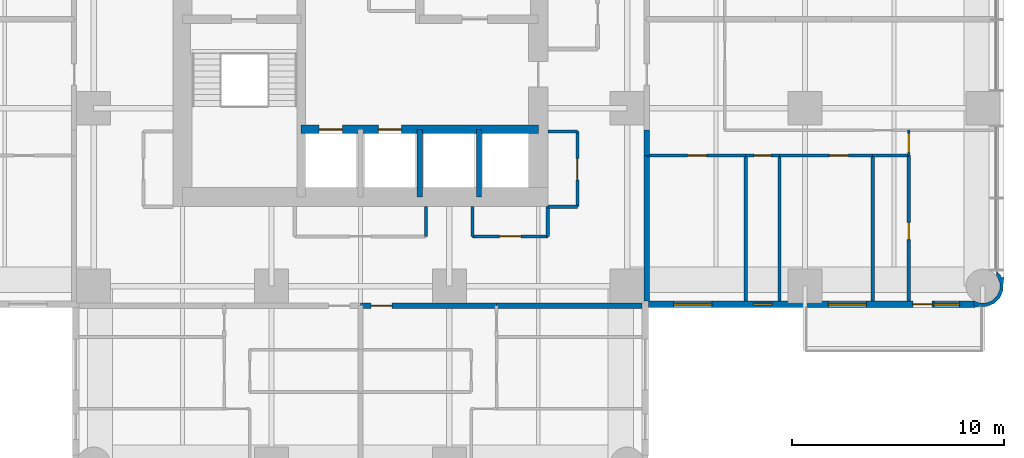
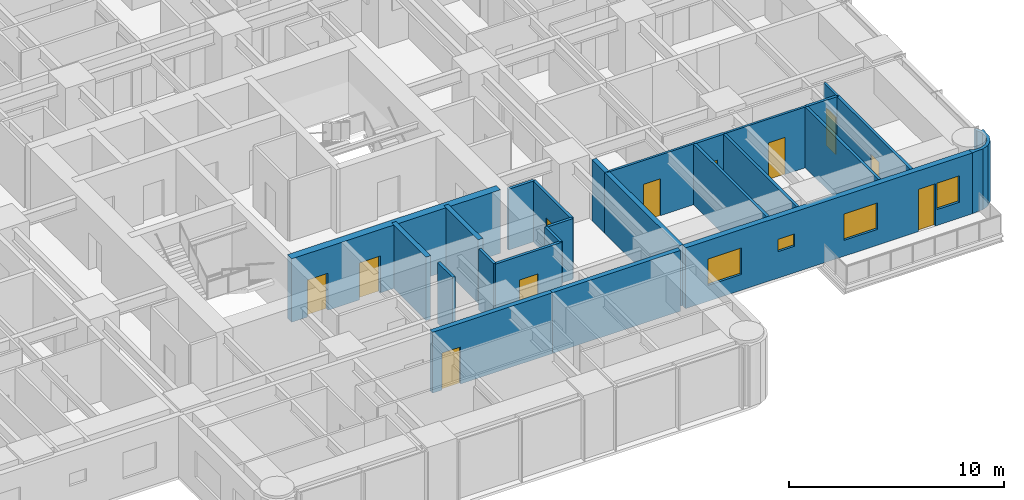
# One storey, part 9 of 15: 25 walls, 11 doors, 4 windows, 15 openings.
"""IFC4 building model written with IfcOpenShell, lengths in metres."""

from ifc_helpers import new_model, si_unit, direction, frame, frame_2d, origin, place, context, subcontext, project, spatial, polyline, rectangle, outline, extrude, material, layer, layer_set, type_object, element, fill, save


model = new_model("IFC4")

# Units and contexts
model_context = context("Model", 3, precision=1e-05, world=origin(), true_north=direction((0.0, 1.0)))
body_context = subcontext(model_context, "Body", "Model", "MODEL_VIEW")
ifc_project = project(units=[si_unit("LENGTHUNIT", "METRE"), si_unit("AREAUNIT", "SQUARE_METRE"), si_unit("VOLUMEUNIT", "CUBIC_METRE"), si_unit("PLANEANGLEUNIT", "RADIAN"), si_unit("MASSUNIT", "GRAM", prefix="KILO")], contexts=[model_context])

# Site, building, storey
site_placement = place(None, origin())
site = spatial("IfcSite", under=ifc_project, at=site_placement, CompositionType="ELEMENT")
building_placement = place(site_placement, origin())
building = spatial("IfcBuilding", under=site, at=building_placement, Name="Torre Alcanfor", CompositionType="ELEMENT")
storey_placement = place(building_placement, frame((0.0, 0.0, 144.89990234375)))
storey = spatial("IfcBuildingStorey", under=building, at=storey_placement, Name="L37", CompositionType="ELEMENT", Elevation=144.89990234375)

# Walls
ifc_material_1 = material(Name="Concrete block masonry, hollow blocks NMX-C-404 9 MPa", Category="masonry")
ifc_layer_1 = layer(ifc_material_1, 0.25)
ifc_layer_set_1 = layer_set([ifc_layer_1], Name="Apartment entrance wall 250 EI 60")
wall_type_1 = type_object("IfcWallType", Name="Apartment entrance wall 250 EI 60", PredefinedType="PARTITIONING", material=ifc_layer_set_1)
wall_1_placement = place(storey_placement, frame((42.925048828125, 24.1708984375, 0.0), z_axis=(0.0, 0.0, 1.0), x_axis=(0.0, -1.0, 0.0)))
element("IfcWall", 1, at=wall_1_placement, inside=storey, type_object=wall_type_1, Name="Partition L37-CORR / L37-E2-HALL", PredefinedType="PARTITIONING", context=body_context, shape_type="SweptSolid", body=[
    extrude(rectangle(XDim=1.199951171875, YDim=0.25, at=frame_2d((0.60009765625, 0.0))), origin(), (0.0, 0.0, 1.0), 3.4501953125),
])
wall_2_placement = place(storey_placement, frame((42.925048828125, 22.970947265625, 0.0), z_axis=(0.0, 0.0, 1.0), x_axis=(0.0, -1.0, 0.0)))
element("IfcWall", 2, at=wall_2_placement, inside=storey, type_object=wall_type_1, Name="Partition L37-CORR / L37-E2-BED3", PredefinedType="PARTITIONING", context=body_context, shape_type="SweptSolid", body=[
    extrude(rectangle(XDim=6.870849609375, YDim=0.25, at=frame_2d((3.435546875, 0.0))), origin(), (0.0, 0.0, 1.0), 3.4501953125),
])

# Wall, opening, door
wall_3_placement = place(storey_placement, frame((35.8291015625, 15.875, 0.0), z_axis=(0.0, 0.0, 1.0), x_axis=(-1.0, 0.0, 0.0)))
wall_3 = element("IfcWall", 3, at=wall_3_placement, inside=storey, type_object=wall_type_1, Name="Partition L37-CORR / L37-S1-LIVING", PredefinedType="PARTITIONING", context=body_context, shape_type="SweptSolid", body=[
    extrude(rectangle(XDim=6.42919921875, YDim=0.25, at=frame_2d((3.214599609375, 0.0))), origin(), (0.0, 0.0, 1.0), 3.4501953125),
])
opening_1_placement = place(wall_3_placement, frame((4.928955078125, 0.0, 0.0)))
opening_1 = element("IfcOpeningElement", 4, at=opening_1_placement, cuts=wall_3, Name="Opening D-A1", PredefinedType="OPENING", context=body_context, shape_type="SweptSolid", body=[
    extrude(rectangle(XDim=1.0, YDim=2.10009765625, at=frame_2d((0.5, 1.050048828125))), frame((0.0, 0.135009765625, 0.0), z_axis=(0.0, -1.0, 0.0), x_axis=(1.0, 0.0, 0.0)), (0.0, 0.0, 1.0), 0.27001953125),
])
ifc_material_2 = material(Name="Galvanised steel sheet ASTM A653", Category="steel")
door_type_1 = type_object("IfcDoorType", Name="Apartment entrance door FD60 1000x2100", OperationType="SINGLE_SWING_LEFT", PredefinedType="DOOR", material=ifc_material_2)
door_1_placement = place(opening_1_placement, origin())
door_1 = element("IfcDoor", 5, at=door_1_placement, inside=storey, type_object=door_type_1, Name="Apartment entrance L37-S1", OperationType="SINGLE_SWING_RIGHT", OverallHeight=2.10009765625, OverallWidth=1.0, PredefinedType="DOOR", context=body_context, shape_type="SweptSolid", body=[
    extrude(rectangle(XDim=1.0, YDim=2.10009765625, at=frame_2d((0.5, 1.050048828125))), frame((0.0, 0.02490234375, 0.0), z_axis=(0.0, -1.0, 0.0), x_axis=(1.0, 0.0, 0.0)), (0.0, 0.0, 1.0), 0.050048828125),
])
fill(opening_1, door_1)

# Wall
wall_4_placement = place(storey_placement, frame((42.699951171875, 15.875, 0.0), z_axis=(0.0, 0.0, 1.0), x_axis=(-1.0, 0.0, 0.0)))
element("IfcWall", 6, at=wall_4_placement, inside=storey, type_object=wall_type_1, Name="Partition L37-CORR / L37-S1-BATH", PredefinedType="PARTITIONING", context=body_context, shape_type="SweptSolid", body=[
    extrude(rectangle(XDim=6.870849609375, YDim=0.25, at=frame_2d((3.435546875, 0.0))), origin(), (0.0, 0.0, 1.0), 3.4501953125),
])

# Wall, opening, door
ifc_material_3 = material(Name="Gypsum board on steel studs", Category="steel")
ifc_layer_2 = layer(ifc_material_3, 0.1201171875)
ifc_layer_set_2 = layer_set([ifc_layer_2], Name="Apartment partition 120")
wall_type_2 = type_object("IfcWallType", Name="Apartment partition 120", PredefinedType="PARTITIONING", material=ifc_layer_set_2)
wall_5_placement = place(storey_placement, frame((47.60009765625, 22.970947265625, 0.0), z_axis=(0.0, 0.0, 1.0), x_axis=(-1.0, 0.0, 0.0)))
wall_5 = element("IfcWall", 7, at=wall_5_placement, inside=storey, type_object=wall_type_2, Name="Partition L37-E2-HALL / L37-E2-BED3", PredefinedType="PARTITIONING", context=body_context, shape_type="SweptSolid", body=[
    extrude(rectangle(XDim=4.675048828125, YDim=0.1201171875, at=frame_2d((2.33740234375, 0.0))), origin(), (0.0, 0.0, 1.0), 3.4501953125),
])
opening_2_placement = place(wall_5_placement, frame((1.85009765625, 0.0, 0.0)))
opening_2 = element("IfcOpeningElement", 8, at=opening_2_placement, cuts=wall_5, Name="Opening D-R1", PredefinedType="OPENING", context=body_context, shape_type="SweptSolid", body=[
    extrude(rectangle(XDim=0.89990234375, YDim=2.10009765625, at=frame_2d((0.449951171875, 1.050048828125))), frame((0.0, 0.070068359375, 0.0), z_axis=(0.0, -1.0, 0.0), x_axis=(1.0, 0.0, 0.0)), (0.0, 0.0, 1.0), 0.14013671875),
])
ifc_material_4 = material(Name="Timber", Category="wood")
door_type_2 = type_object("IfcDoorType", Name="Internal door 900x2100", OperationType="SINGLE_SWING_LEFT", PredefinedType="DOOR", material=ifc_material_4)
door_2_placement = place(opening_2_placement, origin())
door_2 = element("IfcDoor", 9, at=door_2_placement, inside=storey, type_object=door_type_2, Name="Door L37-E2 bed3", OperationType="SINGLE_SWING_LEFT", OverallHeight=2.10009765625, OverallWidth=0.89990234375, PredefinedType="DOOR", context=body_context, shape_type="SweptSolid", body=[
    extrude(rectangle(XDim=0.89990234375, YDim=2.10009765625, at=frame_2d((0.449951171875, 1.050048828125))), frame((0.0, 0.02490234375, 0.0), z_axis=(0.0, -1.0, 0.0), x_axis=(1.0, 0.0, 0.0)), (0.0, 0.0, 1.0), 0.050048828125),
])
fill(opening_2, door_2)

wall_6_placement = place(storey_placement, frame((53.60009765625, 22.970947265625, 0.0), z_axis=(0.0, 0.0, 1.0), x_axis=(-1.0, 0.0, 0.0)))
wall_6 = element("IfcWall", 10, at=wall_6_placement, inside=storey, type_object=wall_type_2, Name="Partition L37-E2-HALL / L37-E2-BED2", PredefinedType="PARTITIONING", context=body_context, shape_type="SweptSolid", body=[
    extrude(rectangle(XDim=4.400146484375, YDim=0.1201171875, at=frame_2d((2.2001953125, 0.0))), origin(), (0.0, 0.0, 1.0), 3.4501953125),
])
opening_3_placement = place(wall_6_placement, frame((1.14990234375, 0.0, 0.0)))
opening_3 = element("IfcOpeningElement", 11, at=opening_3_placement, cuts=wall_6, Name="Opening D-R1", PredefinedType="OPENING", context=body_context, shape_type="SweptSolid", body=[
    extrude(rectangle(XDim=0.89990234375, YDim=2.10009765625, at=frame_2d((0.449951171875, 1.050048828125))), frame((0.0, 0.070068359375, 0.0), z_axis=(0.0, -1.0, 0.0), x_axis=(1.0, 0.0, 0.0)), (0.0, 0.0, 1.0), 0.14013671875),
])
door_3_placement = place(opening_3_placement, origin())
door_3 = element("IfcDoor", 12, at=door_3_placement, inside=storey, type_object=door_type_2, Name="Door L37-E2 bed2", OperationType="SINGLE_SWING_LEFT", OverallHeight=2.10009765625, OverallWidth=0.89990234375, PredefinedType="DOOR", context=body_context, shape_type="SweptSolid", body=[
    extrude(rectangle(XDim=0.89990234375, YDim=2.10009765625, at=frame_2d((0.449951171875, 1.050048828125))), frame((0.0, 0.02490234375, 0.0), z_axis=(0.0, -1.0, 0.0), x_axis=(1.0, 0.0, 0.0)), (0.0, 0.0, 1.0), 0.050048828125),
])
fill(opening_3, door_3)

wall_7_placement = place(storey_placement, frame((55.300048828125, 24.1708984375, 0.0), z_axis=(0.0, 0.0, 1.0), x_axis=(0.0, -1.0, 0.0)))
wall_7 = element("IfcWall", 13, at=wall_7_placement, inside=storey, type_object=wall_type_2, Name="Partition L37-E2-HALL / L37-E2-MASTER", PredefinedType="PARTITIONING", context=body_context, shape_type="SweptSolid", body=[
    extrude(rectangle(XDim=1.199951171875, YDim=0.1201171875, at=frame_2d((0.60009765625, 0.0))), origin(), (0.0, 0.0, 1.0), 3.4501953125),
])
opening_4_placement = place(wall_7_placement, frame((0.15087890625, 0.0, 0.0)))
opening_4 = element("IfcOpeningElement", 14, at=opening_4_placement, cuts=wall_7, Name="Opening D-R1", PredefinedType="OPENING", context=body_context, shape_type="SweptSolid", body=[
    extrude(rectangle(XDim=0.89990234375, YDim=2.10009765625, at=frame_2d((0.449951171875, 1.050048828125))), frame((0.0, 0.070068359375, 0.0), z_axis=(0.0, -1.0, 0.0), x_axis=(1.0, 0.0, 0.0)), (0.0, 0.0, 1.0), 0.14013671875),
])
door_4_placement = place(opening_4_placement, origin())
door_4 = element("IfcDoor", 15, at=door_4_placement, inside=storey, type_object=door_type_2, Name="Door L37-E2 master", OperationType="SINGLE_SWING_LEFT", OverallHeight=2.10009765625, OverallWidth=0.89990234375, PredefinedType="DOOR", context=body_context, shape_type="SweptSolid", body=[
    extrude(rectangle(XDim=0.89990234375, YDim=2.10009765625, at=frame_2d((0.449951171875, 1.050048828125))), frame((0.0, 0.02490234375, 0.0), z_axis=(0.0, -1.0, 0.0), x_axis=(1.0, 0.0, 0.0)), (0.0, 0.0, 1.0), 0.050048828125),
])
fill(opening_4, door_4)

# Wall, openings, doors
ifc_material_5 = material(Name="Concrete f'c 70 MPa", Category="concrete")
ifc_layer_3 = layer(ifc_material_5, 0.39990234375)
ifc_layer_set_3 = layer_set([ifc_layer_3], Name="Core inner wall 400 f'c70")
wall_type_3 = type_object("IfcWallType", Name="Core inner wall 400 f'c70", PredefinedType="SHEAR", material=ifc_layer_set_3)
wall_8_placement = place(storey_placement, frame((26.60009765625, 24.199951171875, 0.0), z_axis=(0.0, 0.0, 1.0), x_axis=(1.0, 0.0, 0.0)))
wall_8 = element("IfcWall", 16, at=wall_8_placement, inside=storey, type_object=wall_type_3, Name="Core wall Y242 L37", PredefinedType="SHEAR", context=body_context, shape_type="SweptSolid", body=[
    extrude(rectangle(XDim=11.199951171875, YDim=0.39990234375, at=frame_2d((5.60009765625, 0.0))), origin(), (0.0, 0.0, 1.0), 3.60009765625),
])
opening_5_placement = place(wall_8_placement, frame((0.85009765625, 0.0, 0.0)))
opening_5 = element("IfcOpeningElement", 17, at=opening_5_placement, cuts=wall_8, Name="Opening LD1", PredefinedType="OPENING", context=body_context, shape_type="SweptSolid", body=[
    extrude(rectangle(XDim=1.10009765625, YDim=2.10009765625, at=frame_2d((0.550048828125, 1.050048828125))), frame((0.0, 0.2099609375, 0.0), z_axis=(0.0, -1.0, 0.0), x_axis=(1.0, 0.0, 0.0)), (0.0, 0.0, 1.0), 0.419921875),
])
opening_6_placement = place(wall_8_placement, frame((3.64990234375, 0.0, 0.0)))
opening_6 = element("IfcOpeningElement", 18, at=opening_6_placement, cuts=wall_8, Name="Opening LD1", PredefinedType="OPENING", context=body_context, shape_type="SweptSolid", body=[
    extrude(rectangle(XDim=1.10009765625, YDim=2.10009765625, at=frame_2d((0.550048828125, 1.050048828125))), frame((0.0, 0.2099609375, 0.0), z_axis=(0.0, -1.0, 0.0), x_axis=(1.0, 0.0, 0.0)), (0.0, 0.0, 1.0), 0.419921875),
])
ifc_material_6 = material(Name="Galvanised steel sheet ASTM A653", Category="steel")
door_type_3 = type_object("IfcDoorType", Name="Lift landing door 1100x2100", OperationType="DOUBLE_DOOR_SLIDING", PredefinedType="DOOR", material=ifc_material_6)
door_5_placement = place(opening_5_placement, origin())
door_5 = element("IfcDoor", 19, at=door_5_placement, inside=storey, type_object=door_type_3, Name="Lift landing door PA1 L37", OperationType="DOUBLE_DOOR_SLIDING", OverallHeight=2.10009765625, OverallWidth=1.10009765625, PredefinedType="DOOR", context=body_context, shape_type="SweptSolid", body=[
    extrude(rectangle(XDim=1.10009765625, YDim=2.10009765625, at=frame_2d((0.550048828125, 1.050048828125))), frame((0.0, 0.02490234375, 0.0), z_axis=(0.0, -1.0, 0.0), x_axis=(1.0, 0.0, 0.0)), (0.0, 0.0, 1.0), 0.050048828125),
])
fill(opening_5, door_5)
door_6_placement = place(opening_6_placement, origin())
door_6 = element("IfcDoor", 20, at=door_6_placement, inside=storey, type_object=door_type_3, Name="Lift landing door PA2 L37", OperationType="DOUBLE_DOOR_SLIDING", OverallHeight=2.10009765625, OverallWidth=1.10009765625, PredefinedType="DOOR", context=body_context, shape_type="SweptSolid", body=[
    extrude(rectangle(XDim=1.10009765625, YDim=2.10009765625, at=frame_2d((0.550048828125, 1.050048828125))), frame((0.0, 0.02490234375, 0.0), z_axis=(0.0, -1.0, 0.0), x_axis=(1.0, 0.0, 0.0)), (0.0, 0.0, 1.0), 0.050048828125),
])
fill(opening_6, door_6)

# Walls
ifc_material_7 = material(Name="Concrete f'c 70 MPa", Category="concrete")
ifc_layer_4 = layer(ifc_material_7, 0.25)
ifc_layer_set_4 = layer_set([ifc_layer_4], Name="Core shaft wall 250 f'c70")
wall_type_4 = type_object("IfcWallType", Name="Core shaft wall 250 f'c70", PredefinedType="SHEAR", material=ifc_layer_set_4)
for number, where, z_axis, x_axis, name in (
    (21, (32.199951171875, 21.0, 0.0), (0.0, 0.0, 1.0), (0.0, 1.0, 0.0), "Core wall X322S L37"),
    (22, (35.0, 21.0, 0.0), (0.0, 0.0, 1.0), (0.0, 1.0, 0.0), "Core wall X350S L37"),
):
    element("IfcWall", number, at=place(storey_placement, frame(where, z_axis=z_axis, x_axis=x_axis)), inside=storey, type_object=wall_type_4, Name=name, PredefinedType="SHEAR", context=body_context, shape_type="SweptSolid", body=[
        extrude(rectangle(XDim=3.199951171875, YDim=0.25, at=frame_2d((1.60009765625, 0.0))), origin(), (0.0, 0.0, 1.0), 3.60009765625),
    ])

# Wall, openings, door, windows
ifc_material_8 = material(Name="Limestone cladding", Category="masonry")
ifc_layer_5 = layer(ifc_material_8, 0.0400390625, Name="Facing")
ifc_material_9 = material(Name="Ventilated air cavity")
ifc_layer_6 = layer(ifc_material_9, 0.02001953125, ventilated=True, Name="Ventilated joint")
ifc_material_10 = material(Name="Mineral wool insulation", Category="insulation")
ifc_layer_7 = layer(ifc_material_10, 0.10009765625, Name="Insulation")
ifc_material_11 = material(Name="Concrete f'c 35 MPa", Category="concrete")
ifc_layer_8 = layer(ifc_material_11, 0.139892578125, Name="Backing")
ifc_layer_set_5 = layer_set([ifc_layer_5, ifc_layer_6, ifc_layer_7, ifc_layer_8], Name="External wall stone-clad 300")
wall_type_5 = type_object("IfcWallType", Name="External wall stone-clad 300", PredefinedType="SOLIDWALL", material=ifc_layer_set_5)
wall_9_placement = place(storey_placement, frame((43.0, 15.949951171875, 0.0), z_axis=(0.0, 0.0, 1.0), x_axis=(1.0, 0.0, 0.0)))
wall_9 = element("IfcWall", 23, at=wall_9_placement, inside=storey, type_object=wall_type_5, Name="External wall L37 7", PredefinedType="SOLIDWALL", context=body_context, shape_type="SweptSolid", body=[
    extrude(rectangle(XDim=15.39990234375, YDim=0.300048828125, at=frame_2d((7.699951171875, 0.0))), origin(), (0.0, 0.0, 1.0), 3.4501953125),
])
opening_7_placement = place(wall_9_placement, frame((1.199951171875, 0.0, 0.89990234375)))
opening_7 = element("IfcOpeningElement", 24, at=opening_7_placement, cuts=wall_9, Name="Opening W2", PredefinedType="OPENING", context=body_context, shape_type="SweptSolid", body=[
    extrude(rectangle(XDim=1.800048828125, YDim=1.5, at=frame_2d((0.89990234375, 0.75))), frame((0.0, 0.159912109375, 0.0), z_axis=(0.0, -1.0, 0.0), x_axis=(1.0, 0.0, 0.0)), (0.0, 0.0, 1.0), 0.320068359375),
])
opening_8_placement = place(wall_9_placement, frame((4.949951171875, 0.0, 1.5)))
opening_8 = element("IfcOpeningElement", 25, at=opening_8_placement, cuts=wall_9, Name="Opening W3", PredefinedType="OPENING", context=body_context, shape_type="SweptSolid", body=[
    extrude(rectangle(XDim=0.89990234375, YDim=0.699951171875, at=frame_2d((0.449951171875, 0.35009765625))), frame((0.0, 0.159912109375, 0.0), z_axis=(0.0, -1.0, 0.0), x_axis=(1.0, 0.0, 0.0)), (0.0, 0.0, 1.0), 0.320068359375),
])
opening_9_placement = place(wall_9_placement, frame((8.5, 0.0, 0.89990234375)))
opening_9 = element("IfcOpeningElement", 26, at=opening_9_placement, cuts=wall_9, Name="Opening W2", PredefinedType="OPENING", context=body_context, shape_type="SweptSolid", body=[
    extrude(rectangle(XDim=1.800048828125, YDim=1.5, at=frame_2d((0.89990234375, 0.75))), frame((0.0, 0.159912109375, 0.0), z_axis=(0.0, -1.0, 0.0), x_axis=(1.0, 0.0, 0.0)), (0.0, 0.0, 1.0), 0.320068359375),
])
opening_10_placement = place(wall_9_placement, frame((12.5, 0.0, 0.0)))
opening_10 = element("IfcOpeningElement", 27, at=opening_10_placement, cuts=wall_9, Name="Opening D-B1", PredefinedType="OPENING", context=body_context, shape_type="SweptSolid", body=[
    extrude(rectangle(XDim=0.89990234375, YDim=2.39990234375, at=frame_2d((0.449951171875, 1.199951171875))), frame((0.0, 0.159912109375, 0.0), z_axis=(0.0, -1.0, 0.0), x_axis=(1.0, 0.0, 0.0)), (0.0, 0.0, 1.0), 0.320068359375),
])
opening_11_placement = place(wall_9_placement, frame((13.5, 0.0, 0.89990234375)))
opening_11 = element("IfcOpeningElement", 28, at=opening_11_placement, cuts=wall_9, Name="Opening W4", PredefinedType="OPENING", context=body_context, shape_type="SweptSolid", body=[
    extrude(rectangle(XDim=1.199951171875, YDim=1.5, at=frame_2d((0.60009765625, 0.75))), frame((0.0, 0.159912109375, 0.0), z_axis=(0.0, -1.0, 0.0), x_axis=(1.0, 0.0, 0.0)), (0.0, 0.0, 1.0), 0.320068359375),
])
ifc_material_12 = material(Name="Aluminium and glass", Category="aluminium")
door_type_4 = type_object("IfcDoorType", Name="Balcony door glazed 900x2400", OperationType="SINGLE_SWING_LEFT", PredefinedType="DOOR", material=ifc_material_12)
door_7_placement = place(opening_10_placement, origin())
door_7 = element("IfcDoor", 29, at=door_7_placement, inside=storey, type_object=door_type_4, Name="Balcony door L37-E2", OperationType="SINGLE_SWING_LEFT", OverallHeight=2.39990234375, OverallWidth=0.89990234375, PredefinedType="DOOR", context=body_context, shape_type="SweptSolid", body=[
    extrude(rectangle(XDim=0.89990234375, YDim=2.39990234375, at=frame_2d((0.449951171875, 1.199951171875))), frame((0.0, 0.02490234375, 0.0), z_axis=(0.0, -1.0, 0.0), x_axis=(1.0, 0.0, 0.0)), (0.0, 0.0, 1.0), 0.050048828125),
])
fill(opening_10, door_7)
ifc_material_13 = material(Name="Aluminium frame with clear double glazing", Category="aluminium")
window_type_1 = type_object("IfcWindowType", Name="Window bathroom 900x700", PartitioningType="SINGLE_PANEL", PredefinedType="WINDOW", material=ifc_material_13)
window_1_placement = place(opening_8_placement, origin())
window_1 = element("IfcWindow", 30, at=window_1_placement, inside=storey, type_object=window_type_1, Name="Window W3 L37-E2", OverallHeight=0.699951171875, OverallWidth=0.89990234375, PartitioningType="SINGLE_PANEL", PredefinedType="WINDOW", context=body_context, shape_type="SweptSolid", body=[
    extrude(rectangle(XDim=0.89990234375, YDim=0.699951171875, at=frame_2d((0.449951171875, 0.35009765625))), frame((0.0, 0.030029296875, 0.0), z_axis=(0.0, -1.0, 0.0), x_axis=(1.0, 0.0, 0.0)), (0.0, 0.0, 1.0), 0.06005859375),
])
fill(opening_8, window_1)
ifc_material_14 = material(Name="Aluminium frame with clear double glazing", Category="aluminium")
window_type_2 = type_object("IfcWindowType", Name="Window bedroom 1200x1500", PartitioningType="SINGLE_PANEL", PredefinedType="WINDOW", material=ifc_material_14)
window_2_placement = place(opening_11_placement, origin())
window_2 = element("IfcWindow", 31, at=window_2_placement, inside=storey, type_object=window_type_2, Name="Window W4 L37-E2", OverallHeight=1.5, OverallWidth=1.199951171875, PartitioningType="SINGLE_PANEL", PredefinedType="WINDOW", context=body_context, shape_type="SweptSolid", body=[
    extrude(rectangle(XDim=1.199951171875, YDim=1.5, at=frame_2d((0.60009765625, 0.75))), frame((0.0, 0.030029296875, 0.0), z_axis=(0.0, -1.0, 0.0), x_axis=(1.0, 0.0, 0.0)), (0.0, 0.0, 1.0), 0.06005859375),
])
fill(opening_11, window_2)
ifc_material_15 = material(Name="Aluminium frame with clear double glazing", Category="aluminium")
window_type_3 = type_object("IfcWindowType", Name="Window bedroom 1800x1500", PartitioningType="SINGLE_PANEL", PredefinedType="WINDOW", material=ifc_material_15)
window_3_placement = place(opening_7_placement, origin())
window_3 = element("IfcWindow", 32, at=window_3_placement, inside=storey, type_object=window_type_3, Name="Window W2 L37-E2", OverallHeight=1.5, OverallWidth=1.800048828125, PartitioningType="SINGLE_PANEL", PredefinedType="WINDOW", context=body_context, shape_type="SweptSolid", body=[
    extrude(rectangle(XDim=1.800048828125, YDim=1.5, at=frame_2d((0.89990234375, 0.75))), frame((0.0, 0.030029296875, 0.0), z_axis=(0.0, -1.0, 0.0), x_axis=(1.0, 0.0, 0.0)), (0.0, 0.0, 1.0), 0.06005859375),
])
fill(opening_7, window_3)
window_4_placement = place(opening_9_placement, origin())
window_4 = element("IfcWindow", 33, at=window_4_placement, inside=storey, type_object=window_type_3, Name="Window W2 L37-E2", OverallHeight=1.5, OverallWidth=1.800048828125, PartitioningType="SINGLE_PANEL", PredefinedType="WINDOW", context=body_context, shape_type="SweptSolid", body=[
    extrude(rectangle(XDim=1.800048828125, YDim=1.5, at=frame_2d((0.89990234375, 0.75))), frame((0.0, 0.030029296875, 0.0), z_axis=(0.0, -1.0, 0.0), x_axis=(1.0, 0.0, 0.0)), (0.0, 0.0, 1.0), 0.06005859375),
])
fill(opening_9, window_4)

# Wall
ifc_material_16 = material(Name="Concrete block masonry, hollow blocks NMX-C-404 9 MPa", Category="masonry")
ifc_layer_9 = layer(ifc_material_16, 0.14990234375)
ifc_layer_set_6 = layer_set([ifc_layer_9], Name="Residents' room partition 150")
wall_type_6 = type_object("IfcWallType", Name="Residents' room partition 150", PredefinedType="PARTITIONING", material=ifc_layer_set_6)
wall_10_placement = place(storey_placement, frame((38.25, 20.550048828125, 0.0), z_axis=(0.0, 0.0, 1.0), x_axis=(1.0, 0.0, 0.0)))
element("IfcWall", 34, at=wall_10_placement, inside=storey, type_object=wall_type_6, Name="Partition L37-CORR / L37-G03", PredefinedType="PARTITIONING", context=body_context, shape_type="SweptSolid", body=[
    extrude(rectangle(XDim=1.39990234375, YDim=0.14990234375, at=frame_2d((0.699951171875, 0.0))), origin(), (0.0, 0.0, 1.0), 3.4501953125),
])

# Wall, opening, door
wall_11_placement = place(storey_placement, frame((39.64990234375, 20.550048828125, 0.0), z_axis=(0.0, 0.0, 1.0), x_axis=(0.0, 1.0, 0.0)))
wall_11 = element("IfcWall", 35, at=wall_11_placement, inside=storey, type_object=wall_type_6, Name="Partition L37-CORR / L37-G03", PredefinedType="PARTITIONING", context=body_context, shape_type="SweptSolid", body=[
    extrude(rectangle(XDim=3.550048828125, YDim=0.14990234375, at=frame_2d((1.77490234375, 0.0))), origin(), (0.0, 0.0, 1.0), 3.4501953125),
])
opening_12_placement = place(wall_11_placement, frame((1.27490234375, 0.0, 0.0)))
opening_12 = element("IfcOpeningElement", 36, at=opening_12_placement, cuts=wall_11, Name="Opening D-M1", PredefinedType="OPENING", context=body_context, shape_type="SweptSolid", body=[
    extrude(rectangle(XDim=1.0, YDim=2.10009765625, at=frame_2d((0.5, 1.050048828125))), frame((0.0, 0.0849609375, 0.0), z_axis=(0.0, -1.0, 0.0), x_axis=(1.0, 0.0, 0.0)), (0.0, 0.0, 1.0), 0.169921875),
])
ifc_material_17 = material(Name="Timber", Category="wood")
door_type_5 = type_object("IfcDoorType", Name="Residents' room door 1000x2100", OperationType="SINGLE_SWING_LEFT", PredefinedType="DOOR", material=ifc_material_17)
door_8_placement = place(opening_12_placement, origin())
door_8 = element("IfcDoor", 37, at=door_8_placement, inside=storey, type_object=door_type_5, Name="Door L37-G03 parcel room", OperationType="SINGLE_SWING_LEFT", OverallHeight=2.10009765625, OverallWidth=1.0, PredefinedType="DOOR", context=body_context, shape_type="SweptSolid", body=[
    extrude(rectangle(XDim=1.0, YDim=2.10009765625, at=frame_2d((0.5, 1.050048828125))), frame((0.0, 0.02490234375, 0.0), z_axis=(0.0, -1.0, 0.0), x_axis=(1.0, 0.0, 0.0)), (0.0, 0.0, 1.0), 0.050048828125),
])
fill(opening_12, door_8)

# Walls
wall_12_placement = place(storey_placement, frame((39.64990234375, 24.10009765625, 0.0), z_axis=(0.0, 0.0, 1.0), x_axis=(-1.0, 0.0, 0.0)))
element("IfcWall", 38, at=wall_12_placement, inside=storey, type_object=wall_type_6, Name="Partition L37-CORR / L37-G03", PredefinedType="PARTITIONING", context=body_context, shape_type="SweptSolid", body=[
    extrude(rectangle(XDim=1.39990234375, YDim=0.14990234375, at=frame_2d((0.699951171875, 0.0))), origin(), (0.0, 0.0, 1.0), 3.4501953125),
])
for number, where, z_axis, x_axis, name in (
    (39, (32.5, 19.14990234375, 0.0), (0.0, 0.0, 1.0), (0.0, 1.0, 0.0), "Partition L37-CORR / L37-G05"),
    (40, (34.699951171875, 20.550048828125, 0.0), (0.0, 0.0, 1.0), (0.0, -1.0, 0.0), "Partition L37-CORR / L37-G06"),
):
    element("IfcWall", number, at=place(storey_placement, frame(where, z_axis=z_axis, x_axis=x_axis)), inside=storey, type_object=wall_type_6, Name=name, PredefinedType="PARTITIONING", context=body_context, shape_type="SweptSolid", body=[
        extrude(rectangle(XDim=1.400146484375, YDim=0.14990234375, at=frame_2d((0.7001953125, 0.0))), origin(), (0.0, 0.0, 1.0), 3.4501953125),
    ])

# Wall, opening, door
wall_13_placement = place(storey_placement, frame((34.699951171875, 19.14990234375, 0.0), z_axis=(0.0, 0.0, 1.0), x_axis=(1.0, 0.0, 0.0)))
wall_13 = element("IfcWall", 41, at=wall_13_placement, inside=storey, type_object=wall_type_6, Name="Partition L37-CORR / L37-G06", PredefinedType="PARTITIONING", context=body_context, shape_type="SweptSolid", body=[
    extrude(rectangle(XDim=3.550048828125, YDim=0.14990234375, at=frame_2d((1.77490234375, 0.0))), origin(), (0.0, 0.0, 1.0), 3.4501953125),
])
opening_13_placement = place(wall_13_placement, frame((1.27490234375, 0.0, 0.0)))
opening_13 = element("IfcOpeningElement", 42, at=opening_13_placement, cuts=wall_13, Name="Opening D-M1", PredefinedType="OPENING", context=body_context, shape_type="SweptSolid", body=[
    extrude(rectangle(XDim=1.0, YDim=2.10009765625, at=frame_2d((0.5, 1.050048828125))), frame((0.0, 0.0849609375, 0.0), z_axis=(0.0, -1.0, 0.0), x_axis=(1.0, 0.0, 0.0)), (0.0, 0.0, 1.0), 0.169921875),
])
door_9_placement = place(opening_13_placement, origin())
door_9 = element("IfcDoor", 43, at=door_9_placement, inside=storey, type_object=door_type_5, Name="Door L37-G06 cleaners' store", OperationType="SINGLE_SWING_LEFT", OverallHeight=2.10009765625, OverallWidth=1.0, PredefinedType="DOOR", context=body_context, shape_type="SweptSolid", body=[
    extrude(rectangle(XDim=1.0, YDim=2.10009765625, at=frame_2d((0.5, 1.050048828125))), frame((0.0, 0.02490234375, 0.0), z_axis=(0.0, -1.0, 0.0), x_axis=(1.0, 0.0, 0.0)), (0.0, 0.0, 1.0), 0.050048828125),
])
fill(opening_13, door_9)

# Walls
wall_14_placement = place(storey_placement, frame((38.25, 19.14990234375, 0.0), z_axis=(0.0, 0.0, 1.0), x_axis=(0.0, 1.0, 0.0)))
element("IfcWall", 44, at=wall_14_placement, inside=storey, type_object=wall_type_6, Name="Partition L37-CORR / L37-G06", PredefinedType="PARTITIONING", context=body_context, shape_type="SweptSolid", body=[
    extrude(rectangle(XDim=1.400146484375, YDim=0.14990234375, at=frame_2d((0.7001953125, 0.0))), origin(), (0.0, 0.0, 1.0), 3.4501953125),
])
ifc_layer_10 = layer(ifc_material_8, 0.0400390625, Name="Facing")
ifc_layer_11 = layer(ifc_material_9, 0.02001953125, ventilated=True, Name="Ventilated joint")
ifc_layer_12 = layer(ifc_material_10, 0.10009765625, Name="Insulation")
ifc_layer_13 = layer(ifc_material_11, 0.139892578125, Name="Backing")
ifc_layer_set_7 = layer_set([ifc_layer_10, ifc_layer_11, ifc_layer_12, ifc_layer_13], Name="Rounded corner pier stone-clad 300")
wall_type_7 = type_object("IfcWallType", Name="Rounded corner pier stone-clad 300", PredefinedType="SOLIDWALL", material=ifc_layer_set_7)
wall_15_placement = place(storey_placement, frame((58.473176205, 15.982940512, 0.0), z_axis=(0.0, 0.0, 1.0), x_axis=(0.93923434088, -0.343276641956, 0.0)))
element("IfcWall", 45, at=wall_15_placement, inside=storey, type_object=wall_type_7, Name="Corner pier L37 17", PredefinedType="SOLIDWALL", context=body_context, shape_type="SweptSolid", body=[
    extrude(outline(polyline([(0.8284730010654036, 1.5985425833407376), (0.696550254150438, 1.5690420941096577), (0.604150309609554, 1.6696580493968027), (0.3940514645210207, 1.7672868618913617), (0.47123842429676593, 1.5560967183488668), (0.5084988752141064, 1.538782517623304), (0.7242236800575332, 1.304144262222244), (0.8335928250166512, 1.004900899222292), (0.8200123708562836, 0.6864548699061994), (0.6857181921193565, 0.39745154052212156), (0.4509961289443815, 0.18195604093769838), (0.15175276594442946, 0.07258689597858048), (-0.11627514476265094, 0.08405951949541965), (-0.12738305855443924, 0.07818018621272643), (-0.1459567845337466, 0.07139175652560875), (-0.006038883692560254, -0.1969313551897346), (0.2657016888450987, -0.05498461418889633), (0.5353646734335612, 0.04357332793518234), (0.8165937238928549, 0.3018001061266741), (0.9775139424010254, 0.6481031205348973), (0.9937655592370759, 1.0296500763704852), (0.8951238093390822, 1.2995423662179517), (0.8284730010654036, 1.5985425833407376)])), origin(), (0.0, 0.0, 1.0), 3.4501953125),
])

# Wall, opening, door
ifc_material_18 = material(Name="Cement board on steel studs", Category="steel")
ifc_layer_14 = layer(ifc_material_18, 0.14990234375)
ifc_layer_set_8 = layer_set([ifc_layer_14], Name="Wet area partition 150")
wall_type_8 = type_object("IfcWallType", Name="Wet area partition 150", PredefinedType="PARTITIONING", material=ifc_layer_set_8)
wall_16_placement = place(storey_placement, frame((49.199951171875, 22.970947265625, 0.0), z_axis=(0.0, 0.0, 1.0), x_axis=(-1.0, 0.0, 0.0)))
wall_16 = element("IfcWall", 46, at=wall_16_placement, inside=storey, type_object=wall_type_8, Name="Partition L37-E2-HALL / L37-E2-BATH1", PredefinedType="PARTITIONING", context=body_context, shape_type="SweptSolid", body=[
    extrude(rectangle(XDim=1.599853515625, YDim=0.14990234375, at=frame_2d((0.7998046875, 0.0))), origin(), (0.0, 0.0, 1.0), 3.4501953125),
])
opening_14_placement = place(wall_16_placement, frame((0.39990234375, 0.0, 0.0)))
opening_14 = element("IfcOpeningElement", 47, at=opening_14_placement, cuts=wall_16, Name="Opening D-R2", PredefinedType="OPENING", context=body_context, shape_type="SweptSolid", body=[
    extrude(rectangle(XDim=0.800048828125, YDim=2.10009765625, at=frame_2d((0.39990234375, 1.050048828125))), frame((0.0, 0.0849609375, 0.0), z_axis=(0.0, -1.0, 0.0), x_axis=(1.0, 0.0, 0.0)), (0.0, 0.0, 1.0), 0.169921875),
])
ifc_material_19 = material(Name="Timber", Category="wood")
door_type_6 = type_object("IfcDoorType", Name="Bathroom door 800x2100", OperationType="SINGLE_SWING_LEFT", PredefinedType="DOOR", material=ifc_material_19)
door_10_placement = place(opening_14_placement, origin())
door_10 = element("IfcDoor", 48, at=door_10_placement, inside=storey, type_object=door_type_6, Name="Door L37-E2 bath1", OperationType="SINGLE_SWING_LEFT", OverallHeight=2.10009765625, OverallWidth=0.800048828125, PredefinedType="DOOR", context=body_context, shape_type="SweptSolid", body=[
    extrude(rectangle(XDim=0.800048828125, YDim=2.10009765625, at=frame_2d((0.39990234375, 1.050048828125))), frame((0.0, 0.02490234375, 0.0), z_axis=(0.0, -1.0, 0.0), x_axis=(1.0, 0.0, 0.0)), (0.0, 0.0, 1.0), 0.050048828125),
])
fill(opening_14, door_10)

# Walls
wall_17_placement = place(storey_placement, frame((55.300048828125, 22.970947265625, 0.0), z_axis=(0.0, 0.0, 1.0), x_axis=(-1.0, 0.0, 0.0)))
element("IfcWall", 49, at=wall_17_placement, inside=storey, type_object=wall_type_8, Name="Partition L37-E2-HALL / L37-E2-ENSBATH", PredefinedType="PARTITIONING", context=body_context, shape_type="SweptSolid", body=[
    extrude(rectangle(XDim=1.699951171875, YDim=0.14990234375, at=frame_2d((0.85009765625, 0.0))), origin(), (0.0, 0.0, 1.0), 3.4501953125),
])
for number, where, z_axis, x_axis, name in (
    (50, (47.60009765625, 22.970947265625, 0.0), (0.0, 0.0, 1.0), (0.0, -1.0, 0.0), "Partition L37-E2-BED3 / L37-E2-BATH1"),
    (51, (49.199951171875, 22.970947265625, 0.0), (0.0, 0.0, 1.0), (0.0, -1.0, 0.0), "Partition L37-E2-BATH1 / L37-E2-BED2"),
    (52, (53.60009765625, 22.970947265625, 0.0), (0.0, 0.0, 1.0), (0.0, -1.0, 0.0), "Partition L37-E2-BED2 / L37-E2-ENSBATH"),
):
    element("IfcWall", number, at=place(storey_placement, frame(where, z_axis=z_axis, x_axis=x_axis)), inside=storey, type_object=wall_type_8, Name=name, PredefinedType="PARTITIONING", context=body_context, shape_type="SweptSolid", body=[
        extrude(rectangle(XDim=6.870849609375, YDim=0.14990234375, at=frame_2d((3.435546875, 0.0))), origin(), (0.0, 0.0, 1.0), 3.4501953125),
    ])

# Wall, opening, door
wall_18_placement = place(storey_placement, frame((55.300048828125, 22.970947265625, 0.0), z_axis=(0.0, 0.0, 1.0), x_axis=(0.0, -1.0, 0.0)))
wall_18 = element("IfcWall", 53, at=wall_18_placement, inside=storey, type_object=wall_type_8, Name="Partition L37-E2-ENSBATH / L37-E2-MASTER", PredefinedType="PARTITIONING", context=body_context, shape_type="SweptSolid", body=[
    extrude(rectangle(XDim=6.870849609375, YDim=0.14990234375, at=frame_2d((3.435546875, 0.0))), origin(), (0.0, 0.0, 1.0), 3.4501953125),
])
opening_15_placement = place(wall_18_placement, frame((3.1708984375, 0.0, 0.0)))
opening_15 = element("IfcOpeningElement", 54, at=opening_15_placement, cuts=wall_18, Name="Opening D-R2", PredefinedType="OPENING", context=body_context, shape_type="SweptSolid", body=[
    extrude(rectangle(XDim=0.800048828125, YDim=2.10009765625, at=frame_2d((0.39990234375, 1.050048828125))), frame((0.0, 0.0849609375, 0.0), z_axis=(0.0, -1.0, 0.0), x_axis=(1.0, 0.0, 0.0)), (0.0, 0.0, 1.0), 0.169921875),
])
door_11_placement = place(opening_15_placement, frame((0.800048828125, 0.0, 0.0), z_axis=(0.0, 0.0, 1.0), x_axis=(-1.0, 0.0, 0.0)))
door_11 = element("IfcDoor", 55, at=door_11_placement, inside=storey, type_object=door_type_6, Name="Door L37-E2 ensbath", OperationType="SINGLE_SWING_LEFT", OverallHeight=2.10009765625, OverallWidth=0.800048828125, PredefinedType="DOOR", context=body_context, shape_type="SweptSolid", body=[
    extrude(rectangle(XDim=0.800048828125, YDim=2.10009765625, at=frame_2d((0.400146484375, 1.050048828125))), frame((0.0, 0.025146484375, 0.0), z_axis=(0.0, -1.0, 0.0), x_axis=(1.0, 0.0, 0.0)), (0.0, 0.0, 1.0), 0.050048828125),
])
fill(opening_15, door_11)

save(model, "model.ifc")
